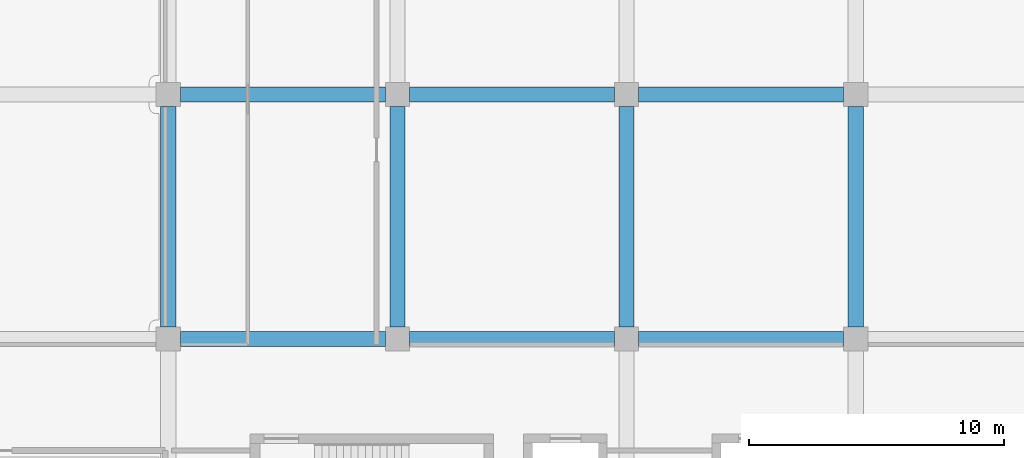
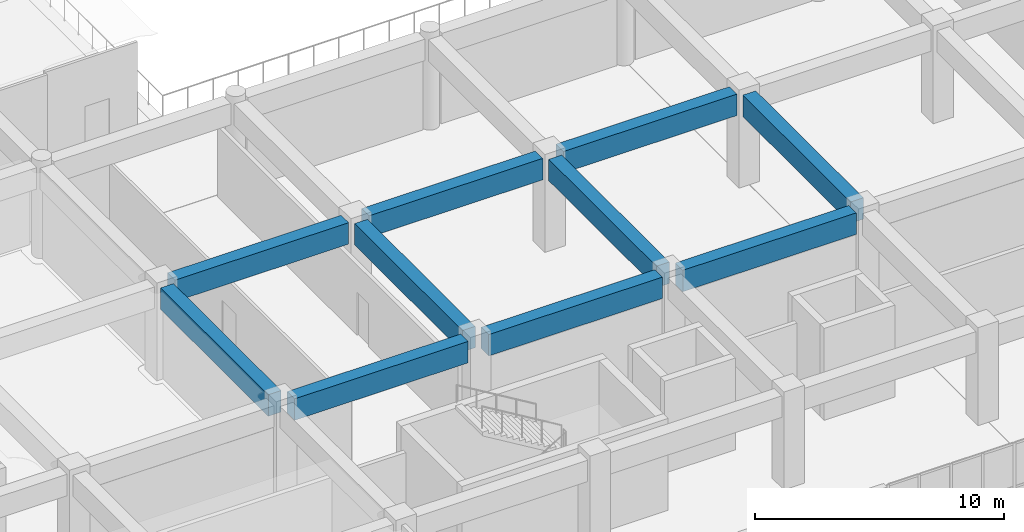
# One storey, part 20 of 86: 10 beams.
"""IFC4 building model written with IfcOpenShell, lengths in metres."""

from ifc_helpers import new_model, si_unit, direction, frame, origin, origin_2d, place, context, subcontext, project, spatial, rectangle, extrude, material, material_profile, profile_set, type_object, element, save


model = new_model("IFC4")

# Units and contexts
model_context = context("Model", 3, precision=1e-05, world=origin(), true_north=direction((0.0, 1.0)))
body_context = subcontext(model_context, "Body", "Model", "MODEL_VIEW")
ifc_project = project(units=[si_unit("LENGTHUNIT", "METRE"), si_unit("AREAUNIT", "SQUARE_METRE"), si_unit("VOLUMEUNIT", "CUBIC_METRE"), si_unit("PLANEANGLEUNIT", "RADIAN"), si_unit("MASSUNIT", "GRAM", prefix="KILO")], contexts=[model_context])

# Site, building, storey
site_placement = place(None, origin())
site = spatial("IfcSite", under=ifc_project, at=site_placement, CompositionType="ELEMENT")
building_placement = place(site_placement, origin())
building = spatial("IfcBuilding", under=site, at=building_placement, Name="Cendralis Terraced Arcade", CompositionType="ELEMENT")
storey_placement = place(building_placement, frame((0.0, 0.0, 5.39990234375)))
storey = spatial("IfcBuildingStorey", under=building, at=storey_placement, Name="L01", CompositionType="ELEMENT", Elevation=5.39990234375)

# Beams
ifc_material = material(Name="Concrete f'c 35 MPa", Category="concrete")
ifc_material_profile = material_profile(ifc_material, rectangle(XDim=0.60009765625, YDim=1.050048828125, at=origin_2d()), Name="RC-BM-600x1050", Category="LoadBearing")
ifc_profile_set = profile_set([ifc_material_profile], Name="Concrete f'c 35 MPa")
beam_type = type_object("IfcBeamType", Name="BM-600x1050", PredefinedType="JOIST", material=ifc_profile_set)
for number, where, z_axis, x_axis, name in (
    (1, (67.675048828125, 19.199951171875, 3.97998046875), (1.0, 0.0, 0.0), (0.0, 1.0, 0.0), "Reinforced Concrete Frame Beam BM-X-L02-C-8_9"),
    (2, (76.675048828125, 19.199951171875, 3.97998046875), (1.0, 0.0, 0.0), (0.0, 1.0, 0.0), "Reinforced Concrete Frame Beam BM-X-L02-C-9_10"),
    (3, (85.675048828125, 19.199951171875, 3.97998046875), (1.0, 0.0, 0.0), (0.0, 1.0, 0.0), "Reinforced Concrete Frame Beam BM-X-L02-C-10_11"),
    (4, (67.675048828125, 28.800048828125, 3.97998046875), (1.0, 0.0, 0.0), (0.0, 1.0, 0.0), "Reinforced Concrete Frame Beam BM-X-L02-D-8_9"),
    (5, (76.675048828125, 28.800048828125, 3.97998046875), (1.0, 0.0, 0.0), (0.0, 1.0, 0.0), "Reinforced Concrete Frame Beam BM-X-L02-D-9_10"),
    (6, (85.675048828125, 28.800048828125, 3.97998046875), (1.0, 0.0, 0.0), (0.0, 1.0, 0.0), "Reinforced Concrete Frame Beam BM-X-L02-D-10_11"),
):
    element("IfcBeam", number, at=place(storey_placement, frame(where, z_axis=z_axis, x_axis=x_axis)), inside=storey, type_object=beam_type, Name=name, PredefinedType="JOIST", context=body_context, shape_type="SweptSolid", body=[
        extrude(rectangle(XDim=0.60009765625, YDim=1.050048828125, at=origin_2d()), origin(), (0.0, 0.0, 1.0), 8.050048828125),
    ])
for number, where, z_axis, x_axis, name in (
    (7, (67.199951171875, 19.675048828125, 3.97998046875), (0.0, 1.0, 0.0), (-1.0, 0.0, 0.0), "Reinforced Concrete Frame Beam BM-Y-L02-8-C_D"),
    (8, (76.199951171875, 19.675048828125, 3.97998046875), (0.0, 1.0, 0.0), (-1.0, 0.0, 0.0), "Reinforced Concrete Frame Beam BM-Y-L02-9-C_D"),
    (9, (85.199951171875, 19.675048828125, 3.97998046875), (0.0, 1.0, 0.0), (-1.0, 0.0, 0.0), "Reinforced Concrete Frame Beam BM-Y-L02-10-C_D"),
    (10, (94.199951171875, 19.675048828125, 3.97998046875), (0.0, 1.0, 0.0), (-1.0, 0.0, 0.0), "Reinforced Concrete Frame Beam BM-Y-L02-11-C_D"),
):
    element("IfcBeam", number, at=place(storey_placement, frame(where, z_axis=z_axis, x_axis=x_axis)), inside=storey, type_object=beam_type, Name=name, PredefinedType="JOIST", context=body_context, shape_type="SweptSolid", body=[
        extrude(rectangle(XDim=0.60009765625, YDim=1.050048828125, at=origin_2d()), origin(), (0.0, 0.0, 1.0), 8.64990234375),
    ])

save(model, "model.ifc")
